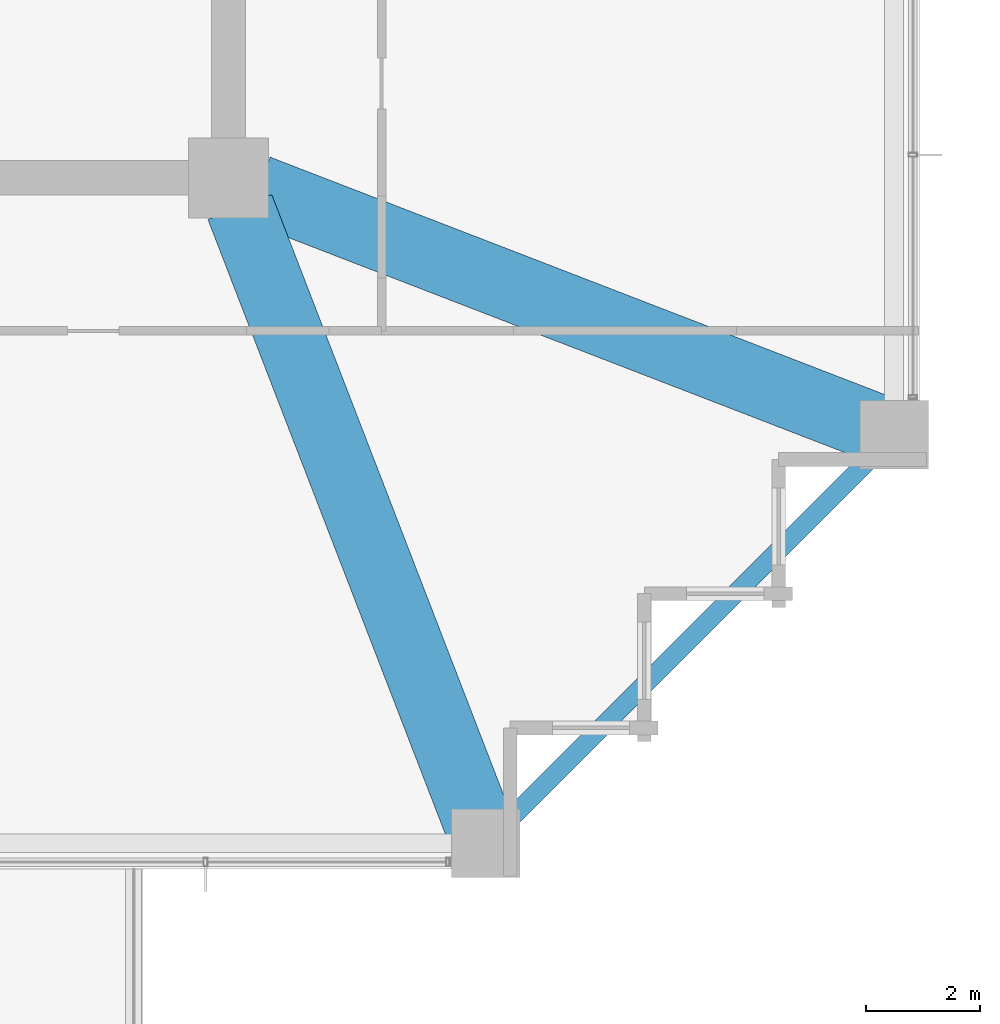
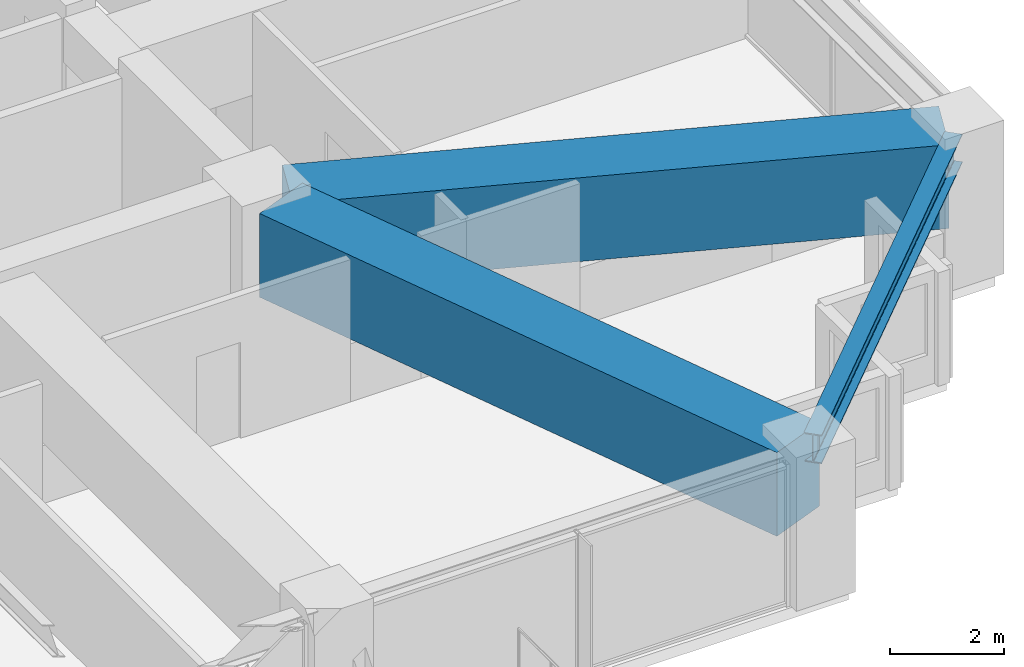
# One storey, part 11 of 37: 3 beams.
"""IFC4 building model written with IfcOpenShell, lengths in metres."""

from ifc_helpers import new_model, si_unit, direction, frame, origin, origin_2d, place, context, subcontext, project, spatial, rectangle, i_section, extrude, material, material_profile, profile_set, type_object, element, save


model = new_model("IFC4")

# Units and contexts
model_context = context("Model", 3, precision=1e-05, world=origin(), true_north=direction((0.0, 1.0)))
body_context = subcontext(model_context, "Body", "Model", "MODEL_VIEW")
ifc_project = project(units=[si_unit("LENGTHUNIT", "METRE"), si_unit("AREAUNIT", "SQUARE_METRE"), si_unit("VOLUMEUNIT", "CUBIC_METRE"), si_unit("PLANEANGLEUNIT", "RADIAN"), si_unit("MASSUNIT", "GRAM", prefix="KILO")], contexts=[model_context])

# Site, building, storey
site_placement = place(None, origin())
site = spatial("IfcSite", under=ifc_project, at=site_placement, CompositionType="ELEMENT")
building_placement = place(site_placement, origin())
building = spatial("IfcBuilding", under=site, at=building_placement, Name="Kolvaren Belvedere", CompositionType="ELEMENT")
storey_placement = place(building_placement, frame((0.0, 0.0, 56.800048828125)))
storey = spatial("IfcBuildingStorey", under=building, at=storey_placement, Name="L16", CompositionType="ELEMENT", Elevation=56.800048828125)

# Beams
ifc_material_1 = material(Name="Structural steel ASTM A992 Grade 50", Category="steel")
ifc_material_profile_1 = material_profile(ifc_material_1, i_section(OverallWidth=0.324951171875, OverallDepth=0.615966796875, WebThickness=0.013916015625, FlangeThickness=0.021484375, FilletRadius=0.02001953125, at=origin_2d()), Name="W24X117")
ifc_profile_set_1 = profile_set([ifc_material_profile_1], Name="Structural steel ASTM A992 Grade 50")
beam_type_1 = type_object("IfcBeamType", Name="BM-SPAN-W24X117", PredefinedType="SPANDREL", material=ifc_profile_set_1)
beam_placement = place(storey_placement, frame((14.5908203125, -21.359130859375, 2.751953125), z_axis=(0.707106781187, 0.707106781187, 0.0), x_axis=(-0.707106781187, 0.707106781187, 0.0)))
element("IfcBeam", 1, at=beam_placement, inside=storey, type_object=beam_type_1, Name="L16 Perimeter Spandrel S4-E1", PredefinedType="SPANDREL", context=body_context, shape_type="SweptSolid", body=[
    extrude(i_section(OverallWidth=0.324951171875, OverallDepth=0.615966796875, WebThickness=0.013916015625, FlangeThickness=0.021484375, FilletRadius=0.02001953125, at=origin_2d()), origin(), (0.0, 0.0, 1.0), 9.57177734375),
])
ifc_material_2 = material(Name="Concrete C50/60", Category="concrete")
ifc_material_profile_2 = material_profile(ifc_material_2, rectangle(XDim=1.199951171875, YDim=1.800048828125, at=origin_2d()), Name="RC 1200X1800")
ifc_profile_set_2 = profile_set([ifc_material_profile_2], Name="Concrete C50/60")
beam_type_2 = type_object("IfcBeamType", Name="BM-TG-1800", PredefinedType="BEAM", material=ifc_profile_set_2)
for number, where, z_axis, x_axis, name in (
    (2, (10.09814453125, -10.4130859375, 2.159912109375), (0.360318391835, -0.932829382313, 0.0), (0.932829382313, 0.360318391835, 0.0), "L16 Corner Core-to-Perimeter Girder CC2-S4"),
    (3, (10.4130859375, -10.09814453125, 2.159912109375), (0.932829382313, -0.360318391835, 0.0), (0.360318391835, 0.932829382313, 0.0), "L16 Corner Core-to-Perimeter Girder CC2-E1"),
):
    element("IfcBeam", number, at=place(storey_placement, frame(where, z_axis=z_axis, x_axis=x_axis)), inside=storey, type_object=beam_type_2, Name=name, PredefinedType="BEAM", context=body_context, shape_type="SweptSolid", body=[
        extrude(rectangle(XDim=1.199951171875, YDim=1.800048828125, at=origin_2d()), origin(), (0.0, 0.0, 1.0), 11.698974609375),
    ])

save(model, "model.ifc")
